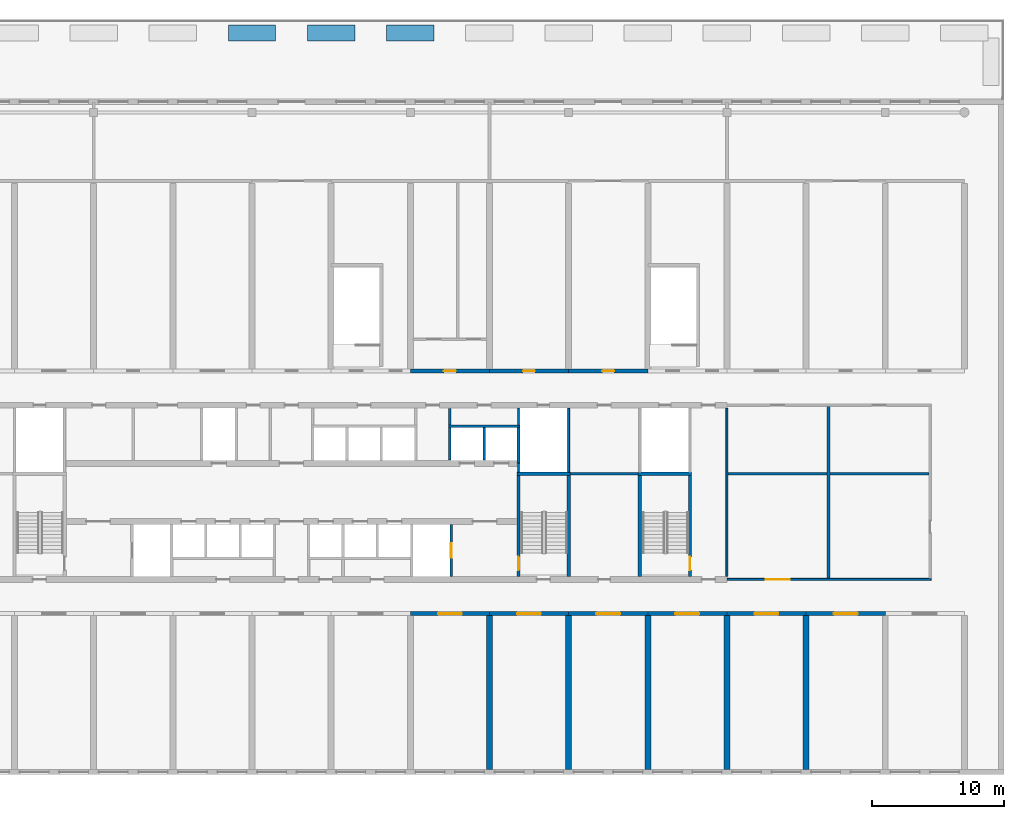
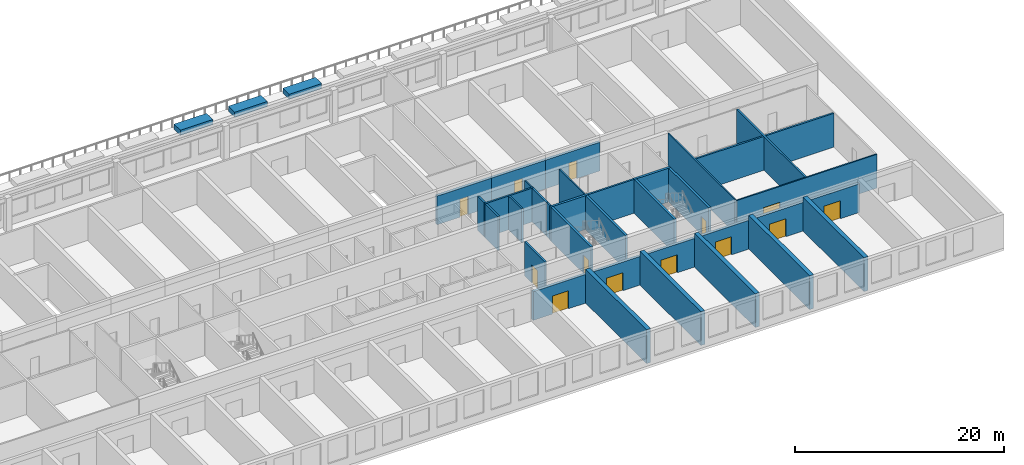
# One storey, part 10 of 15: 37 walls, 13 doors, 13 openings.
"""IFC4 building model written with IfcOpenShell, lengths in metres."""

from ifc_helpers import new_model, si_unit, direction, frame, frame_2d, origin, place, context, subcontext, project, spatial, polyline, rectangle, outline, extrude, source, transform, mapped, material, layer, layer_set, type_object, element, fill, save


model = new_model("IFC4")

# Units and contexts
model_context = context("Model", 3, precision=1e-05, world=origin(), true_north=direction((0.0, 1.0)))
body_context = subcontext(model_context, "Body", "Model", "MODEL_VIEW")
ifc_project = project(units=[si_unit("LENGTHUNIT", "METRE"), si_unit("AREAUNIT", "SQUARE_METRE"), si_unit("VOLUMEUNIT", "CUBIC_METRE"), si_unit("PLANEANGLEUNIT", "RADIAN"), si_unit("MASSUNIT", "GRAM", prefix="KILO")], contexts=[model_context])

# Site, building, storey
site_placement = place(None, origin())
site = spatial("IfcSite", under=ifc_project, at=site_placement, CompositionType="ELEMENT")
building_placement = place(site_placement, origin())
building = spatial("IfcBuilding", under=site, at=building_placement, Name="Poui Terraces", CompositionType="ELEMENT")
storey_placement = place(building_placement, frame((0.0, 0.0, 19.199951171875)))
storey = spatial("IfcBuildingStorey", under=building, at=storey_placement, Name="L04", CompositionType="ELEMENT", Elevation=19.199951171875)

# Walls
ifc_material_1 = material(Name="Fire-rated masonry wall", Category="masonry")
ifc_layer_1 = layer(ifc_material_1, 0.199951171875)
ifc_layer_set_1 = layer_set([ifc_layer_1], Name="Fire-rated masonry wall")
wall_type_1 = type_object("IfcWallType", Name="COMPARTMENT WALL 200", PredefinedType="PARTITIONING", material=ifc_layer_set_1)
wall_1_placement = place(storey_placement, frame((72.135009765625, 22.60009765625, 0.0), z_axis=(0.0, 0.0, 1.0), x_axis=(1.0, 0.0, 0.0)))
element("IfcWall", 1, at=wall_1_placement, inside=storey, type_object=wall_type_1, Name="COMPARTMENT WALL 200", PredefinedType="PARTITIONING", context=body_context, shape_type="SweptSolid", body=[
    extrude(rectangle(XDim=5.1298828125, YDim=0.199951171875, at=frame_2d((2.56494140625, 0.0))), origin(), (0.0, 0.0, 1.0), 3.949951171875),
])
wall_2_placement = place(storey_placement, frame((84.074951171875, 22.60009765625, 0.0), z_axis=(0.0, 0.0, 1.0), x_axis=(1.0, 0.0, 0.0)))
element("IfcWall", 2, at=wall_2_placement, inside=storey, type_object=wall_type_1, Name="COMPARTMENT WALL 200", PredefinedType="PARTITIONING", context=body_context, shape_type="SweptSolid", body=[
    extrude(rectangle(XDim=15.25, YDim=0.199951171875, at=frame_2d((7.625, 0.0))), origin(), (0.0, 0.0, 1.0), 3.949951171875),
])
wall_3_placement = place(storey_placement, frame((91.699951171875, 14.675048828125, 0.0), z_axis=(0.0, 0.0, 1.0), x_axis=(0.0, 1.0, 0.0)))
element("IfcWall", 3, at=wall_3_placement, inside=storey, type_object=wall_type_1, Name="COMPARTMENT WALL 200", PredefinedType="PARTITIONING", context=body_context, shape_type="SweptSolid", body=[
    extrude(rectangle(XDim=13.050048828125, YDim=0.199951171875, at=frame_2d((6.52490234375, 0.0))), origin(), (0.0, 0.0, 1.0), 3.949951171875),
])

# Wall, opening, door
ifc_material_2 = material(Name="Fire-rated plasterboard wall")
ifc_layer_2 = layer(ifc_material_2, 0.14990234375)
ifc_layer_set_2 = layer_set([ifc_layer_2], Name="Fire-rated plasterboard wall")
wall_type_2 = type_object("IfcWallType", Name="CORRIDOR WALL 150", PredefinedType="PARTITIONING", material=ifc_layer_set_2)
wall_4_placement = place(storey_placement, frame((84.010009765625, 14.60009765625, 0.0), z_axis=(0.0, 0.0, 1.0), x_axis=(1.0, 0.0, 0.0)))
wall_4 = element("IfcWall", 4, at=wall_4_placement, inside=storey, type_object=wall_type_2, Name="CORRIDOR WALL 150", PredefinedType="PARTITIONING", context=body_context, shape_type="SweptSolid", body=[
    extrude(rectangle(XDim=15.465087890625, YDim=0.14990234375, at=frame_2d((7.732421875, 0.0))), origin(), (0.0, 0.0, 1.0), 3.949951171875),
])
opening_1_placement = place(wall_4_placement, frame((2.93994140625, 0.0, 0.0)))
opening_1 = element("IfcOpeningElement", 5, at=opening_1_placement, cuts=wall_4, Name="Opening DD180", PredefinedType="OPENING", context=body_context, shape_type="SweptSolid", body=[
    extrude(rectangle(XDim=1.800048828125, YDim=2.10009765625, at=frame_2d((0.89990234375, 1.050048828125))), frame((0.0, 0.0849609375, 0.0), z_axis=(0.0, -1.0, 0.0), x_axis=(1.0, 0.0, 0.0)), (0.0, 0.0, 1.0), 0.169921875),
])
ifc_material_3 = material(Name="Steel fire door", Category="steel")
door_type_1 = type_object("IfcDoorType", Name="DOUBLE INTERNAL DOOR 1800 X 2100", OperationType="DOUBLE_DOOR_SINGLE_SWING", PredefinedType="DOOR", material=ifc_material_3)
door_1_placement = place(opening_1_placement, frame((1.800048828125, 0.0, 0.0), z_axis=(0.0, 0.0, 1.0), x_axis=(-1.0, 0.0, 0.0)))
door_1 = element("IfcDoor", 6, at=door_1_placement, inside=storey, type_object=door_type_1, Name="DOUBLE INTERNAL DOOR 067", OperationType="DOUBLE_DOOR_SINGLE_SWING", OverallHeight=2.10009765625, OverallWidth=1.800048828125, PredefinedType="DOOR", context=body_context, shape_type="SweptSolid", body=[
    extrude(rectangle(XDim=1.800048828125, YDim=2.10009765625, at=frame_2d((0.89990234375, 1.050048828125))), frame((0.0, 0.02490234375, 0.0), z_axis=(0.0, -1.0, 0.0), x_axis=(1.0, 0.0, 0.0)), (0.0, 0.0, 1.0), 0.050048828125),
])
fill(opening_1, door_1)

# Wall
wall_5_placement = place(storey_placement, frame((84.0, 14.8349609375, 0.0), z_axis=(0.0, 0.0, 1.0), x_axis=(0.0, 1.0, 0.0)))
element("IfcWall", 7, at=wall_5_placement, inside=storey, type_object=wall_type_2, Name="CORRIDOR WALL 150", PredefinedType="PARTITIONING", context=body_context, shape_type="SweptSolid", body=[
    extrude(rectangle(XDim=12.72998046875, YDim=0.14990234375, at=frame_2d((6.364990234375, 0.0))), origin(), (0.0, 0.0, 1.0), 3.949951171875),
])

# Wall, opening, door
ifc_material_4 = material(Name="Concrete 80 MPa", Category="concrete")
ifc_layer_3 = layer(ifc_material_4, 0.300048828125)
ifc_layer_set_3 = layer_set([ifc_layer_3], Name="Concrete 80 MPa")
wall_type_3 = type_object("IfcWallType", Name="CORRIDOR WALL 300 80MPa", PredefinedType="SHEAR", material=ifc_layer_set_3)
wall_6_placement = place(storey_placement, frame((60.0, 12.0, 0.0), z_axis=(0.0, 0.0, 1.0), x_axis=(1.0, 0.0, 0.0)))
wall_6 = element("IfcWall", 8, at=wall_6_placement, inside=storey, type_object=wall_type_3, Name="CORRIDOR WALL LINE B BAY 11", PredefinedType="SHEAR", context=body_context, shape_type="SweptSolid", body=[
    extrude(rectangle(XDim=6.0, YDim=0.300048828125, at=frame_2d((3.0, 0.0))), origin(), (0.0, 0.0, 1.0), 3.35009765625),
])
opening_2_placement = place(wall_6_placement, frame((2.10009765625, 0.0, 0.0)))
opening_2 = element("IfcOpeningElement", 9, at=opening_2_placement, cuts=wall_6, Name="Opening DD180", PredefinedType="OPENING", context=body_context, shape_type="SweptSolid", body=[
    extrude(rectangle(XDim=1.800048828125, YDim=2.10009765625, at=frame_2d((0.89990234375, 1.050048828125))), frame((0.0, 0.16015625, 0.0), z_axis=(0.0, -1.0, 0.0), x_axis=(1.0, 0.0, 0.0)), (0.0, 0.0, 1.0), 0.320068359375),
])
door_2_placement = place(opening_2_placement, origin())
door_2 = element("IfcDoor", 10, at=door_2_placement, inside=storey, type_object=door_type_1, Name="DOUBLE INTERNAL DOOR 059", OperationType="DOUBLE_DOOR_SINGLE_SWING", OverallHeight=2.10009765625, OverallWidth=1.800048828125, PredefinedType="DOOR", context=body_context, shape_type="SweptSolid", body=[
    extrude(rectangle(XDim=1.800048828125, YDim=2.10009765625, at=frame_2d((0.89990234375, 1.050048828125))), frame((0.0, 0.02490234375, 0.0), z_axis=(0.0, -1.0, 0.0), x_axis=(1.0, 0.0, 0.0)), (0.0, 0.0, 1.0), 0.050048828125),
])
fill(opening_2, door_2)

wall_7_placement = place(storey_placement, frame((66.0, 12.0, 0.0), z_axis=(0.0, 0.0, 1.0), x_axis=(1.0, 0.0, 0.0)))
wall_7 = element("IfcWall", 11, at=wall_7_placement, inside=storey, type_object=wall_type_3, Name="CORRIDOR WALL LINE B BAY 12", PredefinedType="SHEAR", context=body_context, shape_type="SweptSolid", body=[
    extrude(rectangle(XDim=6.0, YDim=0.300048828125, at=frame_2d((3.0, 0.0))), origin(), (0.0, 0.0, 1.0), 3.35009765625),
])
opening_3_placement = place(wall_7_placement, frame((2.10009765625, 0.0, 0.0)))
opening_3 = element("IfcOpeningElement", 12, at=opening_3_placement, cuts=wall_7, Name="Opening DD180", PredefinedType="OPENING", context=body_context, shape_type="SweptSolid", body=[
    extrude(rectangle(XDim=1.800048828125, YDim=2.10009765625, at=frame_2d((0.89990234375, 1.050048828125))), frame((0.0, 0.16015625, 0.0), z_axis=(0.0, -1.0, 0.0), x_axis=(1.0, 0.0, 0.0)), (0.0, 0.0, 1.0), 0.320068359375),
])
door_3_placement = place(opening_3_placement, origin())
door_3 = element("IfcDoor", 13, at=door_3_placement, inside=storey, type_object=door_type_1, Name="DOUBLE INTERNAL DOOR 060", OperationType="DOUBLE_DOOR_SINGLE_SWING", OverallHeight=2.10009765625, OverallWidth=1.800048828125, PredefinedType="DOOR", context=body_context, shape_type="SweptSolid", body=[
    extrude(rectangle(XDim=1.800048828125, YDim=2.10009765625, at=frame_2d((0.89990234375, 1.050048828125))), frame((0.0, 0.02490234375, 0.0), z_axis=(0.0, -1.0, 0.0), x_axis=(1.0, 0.0, 0.0)), (0.0, 0.0, 1.0), 0.050048828125),
])
fill(opening_3, door_3)

wall_8_placement = place(storey_placement, frame((72.0, 12.0, 0.0), z_axis=(0.0, 0.0, 1.0), x_axis=(1.0, 0.0, 0.0)))
wall_8 = element("IfcWall", 14, at=wall_8_placement, inside=storey, type_object=wall_type_3, Name="CORRIDOR WALL LINE B BAY 13", PredefinedType="SHEAR", context=body_context, shape_type="SweptSolid", body=[
    extrude(rectangle(XDim=6.0, YDim=0.300048828125, at=frame_2d((3.0, 0.0))), origin(), (0.0, 0.0, 1.0), 3.35009765625),
])
opening_4_placement = place(wall_8_placement, frame((2.10009765625, 0.0, 0.0)))
opening_4 = element("IfcOpeningElement", 15, at=opening_4_placement, cuts=wall_8, Name="Opening DD180", PredefinedType="OPENING", context=body_context, shape_type="SweptSolid", body=[
    extrude(rectangle(XDim=1.800048828125, YDim=2.10009765625, at=frame_2d((0.89990234375, 1.050048828125))), frame((0.0, 0.16015625, 0.0), z_axis=(0.0, -1.0, 0.0), x_axis=(1.0, 0.0, 0.0)), (0.0, 0.0, 1.0), 0.320068359375),
])
door_4_placement = place(opening_4_placement, origin())
door_4 = element("IfcDoor", 16, at=door_4_placement, inside=storey, type_object=door_type_1, Name="DOUBLE INTERNAL DOOR 063", OperationType="DOUBLE_DOOR_SINGLE_SWING", OverallHeight=2.10009765625, OverallWidth=1.800048828125, PredefinedType="DOOR", context=body_context, shape_type="SweptSolid", body=[
    extrude(rectangle(XDim=1.800048828125, YDim=2.10009765625, at=frame_2d((0.89990234375, 1.050048828125))), frame((0.0, 0.02490234375, 0.0), z_axis=(0.0, -1.0, 0.0), x_axis=(1.0, 0.0, 0.0)), (0.0, 0.0, 1.0), 0.050048828125),
])
fill(opening_4, door_4)

wall_9_placement = place(storey_placement, frame((78.0, 12.0, 0.0), z_axis=(0.0, 0.0, 1.0), x_axis=(1.0, 0.0, 0.0)))
wall_9 = element("IfcWall", 17, at=wall_9_placement, inside=storey, type_object=wall_type_3, Name="CORRIDOR WALL LINE B BAY 14", PredefinedType="SHEAR", context=body_context, shape_type="SweptSolid", body=[
    extrude(rectangle(XDim=6.0, YDim=0.300048828125, at=frame_2d((3.0, 0.0))), origin(), (0.0, 0.0, 1.0), 3.35009765625),
])
opening_5_placement = place(wall_9_placement, frame((2.10009765625, 0.0, 0.0)))
opening_5 = element("IfcOpeningElement", 18, at=opening_5_placement, cuts=wall_9, Name="Opening DD180", PredefinedType="OPENING", context=body_context, shape_type="SweptSolid", body=[
    extrude(rectangle(XDim=1.800048828125, YDim=2.10009765625, at=frame_2d((0.89990234375, 1.050048828125))), frame((0.0, 0.16015625, 0.0), z_axis=(0.0, -1.0, 0.0), x_axis=(1.0, 0.0, 0.0)), (0.0, 0.0, 1.0), 0.320068359375),
])
door_5_placement = place(opening_5_placement, origin())
door_5 = element("IfcDoor", 19, at=door_5_placement, inside=storey, type_object=door_type_1, Name="DOUBLE INTERNAL DOOR 064", OperationType="DOUBLE_DOOR_SINGLE_SWING", OverallHeight=2.10009765625, OverallWidth=1.800048828125, PredefinedType="DOOR", context=body_context, shape_type="SweptSolid", body=[
    extrude(rectangle(XDim=1.800048828125, YDim=2.10009765625, at=frame_2d((0.89990234375, 1.050048828125))), frame((0.0, 0.02490234375, 0.0), z_axis=(0.0, -1.0, 0.0), x_axis=(1.0, 0.0, 0.0)), (0.0, 0.0, 1.0), 0.050048828125),
])
fill(opening_5, door_5)

wall_10_placement = place(storey_placement, frame((84.0, 12.0, 0.0), z_axis=(0.0, 0.0, 1.0), x_axis=(1.0, 0.0, 0.0)))
wall_10 = element("IfcWall", 20, at=wall_10_placement, inside=storey, type_object=wall_type_3, Name="CORRIDOR WALL LINE B BAY 15", PredefinedType="SHEAR", context=body_context, shape_type="SweptSolid", body=[
    extrude(rectangle(XDim=6.0, YDim=0.300048828125, at=frame_2d((3.0, 0.0))), origin(), (0.0, 0.0, 1.0), 3.35009765625),
])
opening_6_placement = place(wall_10_placement, frame((2.10009765625, 0.0, 0.0)))
opening_6 = element("IfcOpeningElement", 21, at=opening_6_placement, cuts=wall_10, Name="Opening DD180", PredefinedType="OPENING", context=body_context, shape_type="SweptSolid", body=[
    extrude(rectangle(XDim=1.800048828125, YDim=2.10009765625, at=frame_2d((0.89990234375, 1.050048828125))), frame((0.0, 0.16015625, 0.0), z_axis=(0.0, -1.0, 0.0), x_axis=(1.0, 0.0, 0.0)), (0.0, 0.0, 1.0), 0.320068359375),
])
door_6_placement = place(opening_6_placement, origin())
door_6 = element("IfcDoor", 22, at=door_6_placement, inside=storey, type_object=door_type_1, Name="DOUBLE INTERNAL DOOR 066", OperationType="DOUBLE_DOOR_SINGLE_SWING", OverallHeight=2.10009765625, OverallWidth=1.800048828125, PredefinedType="DOOR", context=body_context, shape_type="SweptSolid", body=[
    extrude(rectangle(XDim=1.800048828125, YDim=2.10009765625, at=frame_2d((0.89990234375, 1.050048828125))), frame((0.0, 0.02490234375, 0.0), z_axis=(0.0, -1.0, 0.0), x_axis=(1.0, 0.0, 0.0)), (0.0, 0.0, 1.0), 0.050048828125),
])
fill(opening_6, door_6)

wall_11_placement = place(storey_placement, frame((90.0, 12.0, 0.0), z_axis=(0.0, 0.0, 1.0), x_axis=(1.0, 0.0, 0.0)))
wall_11 = element("IfcWall", 23, at=wall_11_placement, inside=storey, type_object=wall_type_3, Name="CORRIDOR WALL LINE B BAY 16", PredefinedType="SHEAR", context=body_context, shape_type="SweptSolid", body=[
    extrude(rectangle(XDim=6.0, YDim=0.300048828125, at=frame_2d((3.0, 0.0))), origin(), (0.0, 0.0, 1.0), 3.35009765625),
])
opening_7_placement = place(wall_11_placement, frame((2.10009765625, 0.0, 0.0)))
opening_7 = element("IfcOpeningElement", 24, at=opening_7_placement, cuts=wall_11, Name="Opening DD180", PredefinedType="OPENING", context=body_context, shape_type="SweptSolid", body=[
    extrude(rectangle(XDim=1.800048828125, YDim=2.10009765625, at=frame_2d((0.89990234375, 1.050048828125))), frame((0.0, 0.16015625, 0.0), z_axis=(0.0, -1.0, 0.0), x_axis=(1.0, 0.0, 0.0)), (0.0, 0.0, 1.0), 0.320068359375),
])
door_7_placement = place(opening_7_placement, origin())
door_7 = element("IfcDoor", 25, at=door_7_placement, inside=storey, type_object=door_type_1, Name="DOUBLE INTERNAL DOOR 068", OperationType="DOUBLE_DOOR_SINGLE_SWING", OverallHeight=2.10009765625, OverallWidth=1.800048828125, PredefinedType="DOOR", context=body_context, shape_type="SweptSolid", body=[
    extrude(rectangle(XDim=1.800048828125, YDim=2.10009765625, at=frame_2d((0.89990234375, 1.050048828125))), frame((0.0, 0.02490234375, 0.0), z_axis=(0.0, -1.0, 0.0), x_axis=(1.0, 0.0, 0.0)), (0.0, 0.0, 1.0), 0.050048828125),
])
fill(opening_7, door_7)

wall_12_placement = place(storey_placement, frame((60.0, 30.39990234375, 0.0), z_axis=(0.0, 0.0, 1.0), x_axis=(1.0, 0.0, 0.0)))
wall_12 = element("IfcWall", 26, at=wall_12_placement, inside=storey, type_object=wall_type_3, Name="CORRIDOR WALL LINE E BAY 11", PredefinedType="SHEAR", context=body_context, shape_type="SweptSolid", body=[
    extrude(rectangle(XDim=6.0, YDim=0.300048828125, at=frame_2d((3.0, 0.0))), origin(), (0.0, 0.0, 1.0), 3.35009765625),
])
opening_8_placement = place(wall_12_placement, frame((2.550048828125, 0.0, 0.0)))
opening_8 = element("IfcOpeningElement", 27, at=opening_8_placement, cuts=wall_12, Name="Opening D90", PredefinedType="OPENING", context=body_context, shape_type="SweptSolid", body=[
    extrude(rectangle(XDim=0.89990234375, YDim=2.10009765625, at=frame_2d((0.449951171875, 1.050048828125))), frame((0.0, 0.16015625, 0.0), z_axis=(0.0, -1.0, 0.0), x_axis=(1.0, 0.0, 0.0)), (0.0, 0.0, 1.0), 0.320068359375),
])
ifc_material_5 = material(Name="Solid core timber door", Category="wood")
door_type_2 = type_object("IfcDoorType", Name="INTERNAL DOOR 900 X 2100", OperationType="NOTDEFINED", PredefinedType="DOOR", material=ifc_material_5)
door_8_placement = place(opening_8_placement, frame((0.89990234375, 0.0, 0.0), z_axis=(0.0, 0.0, 1.0), x_axis=(-1.0, 0.0, 0.0)))
door_8 = element("IfcDoor", 28, at=door_8_placement, inside=storey, type_object=door_type_2, Name="INTERNAL DOOR 026", OperationType="SINGLE_SWING_RIGHT", OverallHeight=2.10009765625, OverallWidth=0.89990234375, PredefinedType="DOOR", context=body_context, shape_type="SweptSolid", body=[
    extrude(rectangle(XDim=0.89990234375, YDim=2.10009765625, at=frame_2d((0.449951171875, 1.050048828125))), frame((0.0, 0.02490234375, 0.0), z_axis=(0.0, -1.0, 0.0), x_axis=(1.0, 0.0, 0.0)), (0.0, 0.0, 1.0), 0.050048828125),
])
fill(opening_8, door_8)

wall_13_placement = place(storey_placement, frame((66.0, 30.39990234375, 0.0), z_axis=(0.0, 0.0, 1.0), x_axis=(1.0, 0.0, 0.0)))
wall_13 = element("IfcWall", 29, at=wall_13_placement, inside=storey, type_object=wall_type_3, Name="CORRIDOR WALL LINE E BAY 12", PredefinedType="SHEAR", context=body_context, shape_type="SweptSolid", body=[
    extrude(rectangle(XDim=6.0, YDim=0.300048828125, at=frame_2d((3.0, 0.0))), origin(), (0.0, 0.0, 1.0), 3.35009765625),
])
opening_9_placement = place(wall_13_placement, frame((2.550048828125, 0.0, 0.0)))
opening_9 = element("IfcOpeningElement", 30, at=opening_9_placement, cuts=wall_13, Name="Opening D90", PredefinedType="OPENING", context=body_context, shape_type="SweptSolid", body=[
    extrude(rectangle(XDim=0.89990234375, YDim=2.10009765625, at=frame_2d((0.449951171875, 1.050048828125))), frame((0.0, 0.16015625, 0.0), z_axis=(0.0, -1.0, 0.0), x_axis=(1.0, 0.0, 0.0)), (0.0, 0.0, 1.0), 0.320068359375),
])
door_9_placement = place(opening_9_placement, frame((0.89990234375, 0.0, 0.0), z_axis=(0.0, 0.0, 1.0), x_axis=(-1.0, 0.0, 0.0)))
door_9 = element("IfcDoor", 31, at=door_9_placement, inside=storey, type_object=door_type_2, Name="INTERNAL DOOR 028", OperationType="SINGLE_SWING_LEFT", OverallHeight=2.10009765625, OverallWidth=0.89990234375, PredefinedType="DOOR", context=body_context, shape_type="SweptSolid", body=[
    extrude(rectangle(XDim=0.89990234375, YDim=2.10009765625, at=frame_2d((0.449951171875, 1.050048828125))), frame((0.0, 0.02490234375, 0.0), z_axis=(0.0, -1.0, 0.0), x_axis=(1.0, 0.0, 0.0)), (0.0, 0.0, 1.0), 0.050048828125),
])
fill(opening_9, door_9)

wall_14_placement = place(storey_placement, frame((72.0, 30.39990234375, 0.0), z_axis=(0.0, 0.0, 1.0), x_axis=(1.0, 0.0, 0.0)))
wall_14 = element("IfcWall", 32, at=wall_14_placement, inside=storey, type_object=wall_type_3, Name="CORRIDOR WALL LINE E BAY 13", PredefinedType="SHEAR", context=body_context, shape_type="SweptSolid", body=[
    extrude(rectangle(XDim=6.0, YDim=0.300048828125, at=frame_2d((3.0, 0.0))), origin(), (0.0, 0.0, 1.0), 3.35009765625),
])
opening_10_placement = place(wall_14_placement, frame((2.550048828125, 0.0, 0.0)))
opening_10 = element("IfcOpeningElement", 33, at=opening_10_placement, cuts=wall_14, Name="Opening D90", PredefinedType="OPENING", context=body_context, shape_type="SweptSolid", body=[
    extrude(rectangle(XDim=0.89990234375, YDim=2.10009765625, at=frame_2d((0.449951171875, 1.050048828125))), frame((0.0, 0.16015625, 0.0), z_axis=(0.0, -1.0, 0.0), x_axis=(1.0, 0.0, 0.0)), (0.0, 0.0, 1.0), 0.320068359375),
])
door_10_placement = place(opening_10_placement, frame((0.89990234375, 0.0, 0.0), z_axis=(0.0, 0.0, 1.0), x_axis=(-1.0, 0.0, 0.0)))
door_10 = element("IfcDoor", 34, at=door_10_placement, inside=storey, type_object=door_type_2, Name="INTERNAL DOOR 031", OperationType="SINGLE_SWING_RIGHT", OverallHeight=2.10009765625, OverallWidth=0.89990234375, PredefinedType="DOOR", context=body_context, shape_type="SweptSolid", body=[
    extrude(rectangle(XDim=0.89990234375, YDim=2.10009765625, at=frame_2d((0.449951171875, 1.050048828125))), frame((0.0, 0.02490234375, 0.0), z_axis=(0.0, -1.0, 0.0), x_axis=(1.0, 0.0, 0.0)), (0.0, 0.0, 1.0), 0.050048828125),
])
fill(opening_10, door_10)

# Walls
ifc_layer_4 = layer(ifc_material_4, 0.449951171875)
ifc_layer_set_4 = layer_set([ifc_layer_4], Name="Concrete 80 MPa")
wall_type_4 = type_object("IfcWallType", Name="CROSS WALL 450 80MPa", PredefinedType="SHEAR", material=ifc_layer_set_4)
for number, where, z_axis, x_axis, name in (
    (35, (66.0, 0.199951171875, 0.0), (0.0, 0.0, 1.0), (0.0, 1.0, 0.0), "CROSS WALL LINE 12 SOUTH"),
    (36, (72.0, 0.199951171875, 0.0), (0.0, 0.0, 1.0), (0.0, 1.0, 0.0), "CROSS WALL LINE 13 SOUTH"),
    (37, (78.0, 0.199951171875, 0.0), (0.0, 0.0, 1.0), (0.0, 1.0, 0.0), "CROSS WALL LINE 14 SOUTH"),
    (38, (84.0, 0.199951171875, 0.0), (0.0, 0.0, 1.0), (0.0, 1.0, 0.0), "CROSS WALL LINE 15 SOUTH"),
    (39, (90.0, 0.199951171875, 0.0), (0.0, 0.0, 1.0), (0.0, 1.0, 0.0), "CROSS WALL LINE 16 SOUTH"),
):
    element("IfcWall", number, at=place(storey_placement, frame(where, z_axis=z_axis, x_axis=x_axis)), inside=storey, type_object=wall_type_4, Name=name, PredefinedType="SHEAR", context=body_context, shape_type="SweptSolid", body=[
        extrude(rectangle(XDim=11.650146484375, YDim=0.449951171875, at=frame_2d((5.8251953125, 0.0))), origin(), (0.0, 0.0, 1.0), 3.949951171875),
    ])
ifc_layer_5 = layer(ifc_material_1, 0.199951171875)
ifc_layer_set_5 = layer_set([ifc_layer_5], Name="Fire-rated masonry wall")
wall_type_5 = type_object("IfcWallType", Name="PLANT ROOM WALL 200", PredefinedType="PARTITIONING", material=ifc_layer_set_5)
wall_15_placement = place(storey_placement, frame((63.0, 26.300048828125, 0.0), z_axis=(0.0, 0.0, 1.0), x_axis=(0.0, 1.0, 0.0)))
element("IfcWall", 40, at=wall_15_placement, inside=storey, type_object=wall_type_5, Name="PLANT ROOM WALL 200", PredefinedType="PARTITIONING", context=body_context, shape_type="SweptSolid", body=[
    extrude(rectangle(XDim=1.264892578125, YDim=0.199951171875, at=frame_2d((0.63232421875, 0.0))), origin(), (0.0, 0.0, 1.0), 3.949951171875),
])
ifc_material_6 = material(Name="Fire-rated plasterboard riser wall")
ifc_layer_6 = layer(ifc_material_6, 0.14990234375)
ifc_layer_set_6 = layer_set([ifc_layer_6], Name="Fire-rated plasterboard riser wall")
wall_type_6 = type_object("IfcWallType", Name="RISER WALL 150", PredefinedType="PARTITIONING", material=ifc_layer_set_6)
wall_16_placement = place(storey_placement, frame((68.199951171875, 22.735107421875, 0.0), z_axis=(0.0, 0.0, 1.0), x_axis=(0.0, 1.0, 0.0)))
element("IfcWall", 41, at=wall_16_placement, inside=storey, type_object=wall_type_6, Name="RISER WALL 150", PredefinedType="PARTITIONING", context=body_context, shape_type="SweptSolid", body=[
    extrude(rectangle(XDim=0.664794921875, YDim=0.14990234375, at=frame_2d((0.33251953125, 0.0))), origin(), (0.0, 0.0, 1.0), 3.949951171875),
])
wall_17_placement = place(storey_placement, frame((68.199951171875, 26.300048828125, 0.0), z_axis=(0.0, 0.0, 1.0), x_axis=(0.0, 1.0, 0.0)))
element("IfcWall", 42, at=wall_17_placement, inside=storey, type_object=wall_type_6, Name="RISER WALL 150", PredefinedType="PARTITIONING", context=body_context, shape_type="SweptSolid", body=[
    extrude(rectangle(XDim=1.264892578125, YDim=0.14990234375, at=frame_2d((0.63232421875, 0.0))), origin(), (0.0, 0.0, 1.0), 3.949951171875),
])
wall_18_placement = place(storey_placement, frame((72.0, 22.735107421875, 0.0), z_axis=(0.0, 0.0, 1.0), x_axis=(0.0, 1.0, 0.0)))
element("IfcWall", 43, at=wall_18_placement, inside=storey, type_object=wall_type_6, Name="RISER WALL 150", PredefinedType="PARTITIONING", context=body_context, shape_type="SweptSolid", body=[
    extrude(rectangle(XDim=4.829833984375, YDim=0.14990234375, at=frame_2d((2.4150390625, 0.0))), origin(), (0.0, 0.0, 1.0), 3.949951171875),
])
ifc_material_7 = material(Name="Fire-rated masonry shaft wall", Category="masonry")
ifc_layer_7 = layer(ifc_material_7, 0.199951171875)
ifc_layer_set_7 = layer_set([ifc_layer_7], Name="Fire-rated masonry shaft wall")
wall_type_7 = type_object("IfcWallType", Name="SHAFT WALL 200", PredefinedType="PARTITIONING", material=ifc_layer_set_7)
wall_19_placement = place(storey_placement, frame((62.89990234375, 26.199951171875, 0.0), z_axis=(0.0, 0.0, 1.0), x_axis=(1.0, 0.0, 0.0)))
element("IfcWall", 44, at=wall_19_placement, inside=storey, type_object=wall_type_7, Name="SHAFT WALL 200", PredefinedType="PARTITIONING", context=body_context, shape_type="SweptSolid", body=[
    extrude(rectangle(XDim=5.400146484375, YDim=0.199951171875, at=frame_2d((2.7001953125, 0.0))), origin(), (0.0, 0.0, 1.0), 3.949951171875),
])
wall_20_placement = place(storey_placement, frame((63.0, 23.635009765625, 0.0), z_axis=(0.0, 0.0, 1.0), x_axis=(0.0, 1.0, 0.0)))
element("IfcWall", 45, at=wall_20_placement, inside=storey, type_object=wall_type_7, Name="SHAFT WALL 200", PredefinedType="PARTITIONING", context=body_context, shape_type="SweptSolid", body=[
    extrude(rectangle(XDim=2.465087890625, YDim=0.199951171875, at=frame_2d((1.232421875, 0.0))), origin(), (0.0, 0.0, 1.0), 3.949951171875),
])

# Wall, opening, door
wall_21_placement = place(storey_placement, frame((63.10009765625, 14.8349609375, 0.0), z_axis=(0.0, 0.0, 1.0), x_axis=(0.0, 1.0, 0.0)))
wall_21 = element("IfcWall", 46, at=wall_21_placement, inside=storey, type_object=wall_type_7, Name="SHAFT WALL 200", PredefinedType="PARTITIONING", context=body_context, shape_type="SweptSolid", body=[
    extrude(rectangle(XDim=3.929931640625, YDim=0.199951171875, at=frame_2d((1.96484375, 0.0))), origin(), (0.0, 0.0, 1.0), 3.949951171875),
])
opening_11_placement = place(wall_21_placement, frame((1.4150390625, 0.0, 0.0)))
opening_11 = element("IfcOpeningElement", 47, at=opening_11_placement, cuts=wall_21, Name="Opening LD", PredefinedType="OPENING", context=body_context, shape_type="SweptSolid", body=[
    extrude(rectangle(XDim=1.10009765625, YDim=2.10009765625, at=frame_2d((0.550048828125, 1.050048828125))), frame((0.0, 0.10986328125, 0.0), z_axis=(0.0, -1.0, 0.0), x_axis=(1.0, 0.0, 0.0)), (0.0, 0.0, 1.0), 0.219970703125),
])
ifc_material_8 = material(Name="Stainless steel sliding door", Category="steel")
door_type_3 = type_object("IfcDoorType", Name="LIFT LANDING DOOR 1100 X 2100", OperationType="DOUBLE_DOOR_SLIDING", PredefinedType="DOOR", material=ifc_material_8)
door_11_placement = place(opening_11_placement, origin())
door_11 = element("IfcDoor", 48, at=door_11_placement, inside=storey, type_object=door_type_3, Name="LANDING DOOR", OperationType="DOUBLE_DOOR_SLIDING", OverallHeight=2.10009765625, OverallWidth=1.10009765625, PredefinedType="DOOR", context=body_context, shape_type="SweptSolid", body=[
    extrude(rectangle(XDim=1.10009765625, YDim=2.10009765625, at=frame_2d((0.550048828125, 1.050048828125))), frame((0.0, 0.02490234375, 0.0), z_axis=(0.0, -1.0, 0.0), x_axis=(1.0, 0.0, 0.0)), (0.0, 0.0, 1.0), 0.050048828125),
])
fill(opening_11, door_11)

# Walls
wall_22_placement = place(storey_placement, frame((65.60009765625, 23.635009765625, 0.0), z_axis=(0.0, 0.0, 1.0), x_axis=(0.0, 1.0, 0.0)))
element("IfcWall", 49, at=wall_22_placement, inside=storey, type_object=wall_type_7, Name="SHAFT WALL 200", PredefinedType="PARTITIONING", context=body_context, shape_type="SweptSolid", body=[
    extrude(rectangle(XDim=2.465087890625, YDim=0.199951171875, at=frame_2d((1.232421875, 0.0))), origin(), (0.0, 0.0, 1.0), 3.949951171875),
])
wall_23_placement = place(storey_placement, frame((68.199951171875, 23.39990234375, 0.0), z_axis=(0.0, 0.0, 1.0), x_axis=(0.0, 1.0, 0.0)))
element("IfcWall", 50, at=wall_23_placement, inside=storey, type_object=wall_type_7, Name="SHAFT WALL 200", PredefinedType="PARTITIONING", context=body_context, shape_type="SweptSolid", body=[
    extrude(rectangle(XDim=2.7001953125, YDim=0.199951171875, at=frame_2d((1.35009765625, 0.0))), origin(), (0.0, 0.0, 1.0), 3.949951171875),
])

# Wall, opening, door
ifc_layer_8 = layer(ifc_material_4, 0.25)
ifc_layer_set_8 = layer_set([ifc_layer_8], Name="Concrete 80 MPa")
wall_type_8 = type_object("IfcWallType", Name="STAIR CORE WALL 250 80 MPA", PredefinedType="SOLIDWALL", material=ifc_layer_set_8)
wall_24_placement = place(storey_placement, frame((68.199951171875, 14.824951171875, 0.0), z_axis=(0.0, 0.0, 1.0), x_axis=(0.0, 1.0, 0.0)))
wall_24 = element("IfcWall", 51, at=wall_24_placement, inside=storey, type_object=wall_type_8, Name="STAIR CORE WALL", PredefinedType="SOLIDWALL", context=body_context, shape_type="SweptSolid", body=[
    extrude(rectangle(XDim=7.650146484375, YDim=0.25, at=frame_2d((3.8251953125, 0.0))), origin(), (0.0, 0.0, 1.0), 3.949951171875),
])
opening_12_placement = place(wall_24_placement, frame((0.47509765625, 0.0, 0.0)))
opening_12 = element("IfcOpeningElement", 52, at=opening_12_placement, cuts=wall_24, Name="Opening FD60S", PredefinedType="OPENING", context=body_context, shape_type="SweptSolid", body=[
    extrude(rectangle(XDim=1.0, YDim=2.10009765625, at=frame_2d((0.5, 1.050048828125))), frame((0.0, 0.135009765625, 0.0), z_axis=(0.0, -1.0, 0.0), x_axis=(1.0, 0.0, 0.0)), (0.0, 0.0, 1.0), 0.27001953125),
])
door_type_4 = type_object("IfcDoorType", Name="STAIR DOOR 1000 X 2100", OperationType="NOTDEFINED", PredefinedType="DOOR", material=ifc_material_3)
door_12_placement = place(opening_12_placement, frame((1.0, 0.0, 0.0), z_axis=(0.0, 0.0, 1.0), x_axis=(-1.0, 0.0, 0.0)))
door_12 = element("IfcDoor", 53, at=door_12_placement, inside=storey, type_object=door_type_4, Name="STAIR DOOR 083", OperationType="SINGLE_SWING_LEFT", OverallHeight=2.10009765625, OverallWidth=1.0, PredefinedType="DOOR", context=body_context, shape_type="SweptSolid", body=[
    extrude(rectangle(XDim=1.0, YDim=2.10009765625, at=frame_2d((0.5, 1.050048828125))), frame((0.0, 0.02490234375, 0.0), z_axis=(0.0, -1.0, 0.0), x_axis=(1.0, 0.0, 0.0)), (0.0, 0.0, 1.0), 0.050048828125),
])
fill(opening_12, door_12)

# Walls
wall_25_placement = place(storey_placement, frame((72.0, 14.824951171875, 0.0), z_axis=(0.0, 0.0, 1.0), x_axis=(0.0, 1.0, 0.0)))
element("IfcWall", 54, at=wall_25_placement, inside=storey, type_object=wall_type_8, Name="STAIR CORE WALL", PredefinedType="SOLIDWALL", context=body_context, shape_type="SweptSolid", body=[
    extrude(rectangle(XDim=7.650146484375, YDim=0.25, at=frame_2d((3.8251953125, 0.0))), origin(), (0.0, 0.0, 1.0), 3.949951171875),
])
wall_26_placement = place(storey_placement, frame((68.074951171875, 22.60009765625, 0.0), z_axis=(0.0, 0.0, 1.0), x_axis=(1.0, 0.0, 0.0)))
element("IfcWall", 55, at=wall_26_placement, inside=storey, type_object=wall_type_8, Name="STAIR CORE WALL", PredefinedType="SOLIDWALL", context=body_context, shape_type="SweptSolid", body=[
    extrude(rectangle(XDim=4.050048828125, YDim=0.25, at=frame_2d((2.02490234375, 0.0))), origin(), (0.0, 0.0, 1.0), 3.949951171875),
])
wall_27_placement = place(storey_placement, frame((77.39990234375, 14.824951171875, 0.0), z_axis=(0.0, 0.0, 1.0), x_axis=(0.0, 1.0, 0.0)))
element("IfcWall", 56, at=wall_27_placement, inside=storey, type_object=wall_type_8, Name="STAIR CORE WALL", PredefinedType="SOLIDWALL", context=body_context, shape_type="SweptSolid", body=[
    extrude(rectangle(XDim=7.650146484375, YDim=0.25, at=frame_2d((3.8251953125, 0.0))), origin(), (0.0, 0.0, 1.0), 3.949951171875),
])

# Wall, opening, door
wall_28_placement = place(storey_placement, frame((81.199951171875, 14.824951171875, 0.0), z_axis=(0.0, 0.0, 1.0), x_axis=(0.0, 1.0, 0.0)))
wall_28 = element("IfcWall", 57, at=wall_28_placement, inside=storey, type_object=wall_type_8, Name="STAIR CORE WALL", PredefinedType="SOLIDWALL", context=body_context, shape_type="SweptSolid", body=[
    extrude(rectangle(XDim=7.650146484375, YDim=0.25, at=frame_2d((3.8251953125, 0.0))), origin(), (0.0, 0.0, 1.0), 3.949951171875),
])
opening_13_placement = place(wall_28_placement, frame((0.47509765625, 0.0, 0.0)))
opening_13 = element("IfcOpeningElement", 58, at=opening_13_placement, cuts=wall_28, Name="Opening FD60S", PredefinedType="OPENING", context=body_context, shape_type="SweptSolid", body=[
    extrude(rectangle(XDim=1.0, YDim=2.10009765625, at=frame_2d((0.5, 1.050048828125))), frame((0.0, 0.135009765625, 0.0), z_axis=(0.0, -1.0, 0.0), x_axis=(1.0, 0.0, 0.0)), (0.0, 0.0, 1.0), 0.27001953125),
])
door_13_placement = place(opening_13_placement, origin())
door_13 = element("IfcDoor", 59, at=door_13_placement, inside=storey, type_object=door_type_4, Name="STAIR DOOR 099", OperationType="SINGLE_SWING_LEFT", OverallHeight=2.10009765625, OverallWidth=1.0, PredefinedType="DOOR", context=body_context, shape_type="SweptSolid", body=[
    extrude(rectangle(XDim=1.0, YDim=2.10009765625, at=frame_2d((0.5, 1.050048828125))), frame((0.0, 0.02490234375, 0.0), z_axis=(0.0, -1.0, 0.0), x_axis=(1.0, 0.0, 0.0)), (0.0, 0.0, 1.0), 0.050048828125),
])
fill(opening_13, door_13)

# Walls
wall_29_placement = place(storey_placement, frame((77.27490234375, 22.60009765625, 0.0), z_axis=(0.0, 0.0, 1.0), x_axis=(1.0, 0.0, 0.0)))
element("IfcWall", 60, at=wall_29_placement, inside=storey, type_object=wall_type_8, Name="STAIR CORE WALL", PredefinedType="SOLIDWALL", context=body_context, shape_type="SweptSolid", body=[
    extrude(rectangle(XDim=4.050048828125, YDim=0.25, at=frame_2d((2.02490234375, 0.0))), origin(), (0.0, 0.0, 1.0), 3.949951171875),
])
ifc_material_9 = material(Name="Precast concrete 40 MPa", Category="concrete")
ifc_layer_9 = layer(ifc_material_9, 1.199951171875)
ifc_layer_set_9 = layer_set([ifc_layer_9], Name="Precast concrete 40 MPa")
wall_type_9 = type_object("IfcWallType", Name="PLANTER 600", PredefinedType="USERDEFINED", material=ifc_layer_set_9)
shared_shape = source(origin(), body_context, "Body", "SweptSolid", [
    extrude(outline(polyline([(0.0, 0.0), (3.60009765625, 0.0), (3.60009765625, 1.2001953125), (0.0, 1.2001953125), (0.0, 0.0)])), origin(), (0.0, 0.0, 1.0), 0.60009765625),
])
for number, where, name in (
    (61, (46.199951171875, 55.419921875, 0.0), "PLANTER"),
    (62, (52.199951171875, 55.419921875, 0.0), "PLANTER"),
    (63, (58.199951171875, 55.419921875, 0.0), "PLANTER"),
):
    element("IfcWall", number, at=place(storey_placement, frame(where)), inside=storey, type_object=wall_type_9, Name=name, ObjectType="PLANTER", PredefinedType="USERDEFINED", context=body_context, shape_type="MappedRepresentation", body=[
        mapped(shared_shape, transform((0.0, 0.0, 0.0))),
    ])

save(model, "model.ifc")
